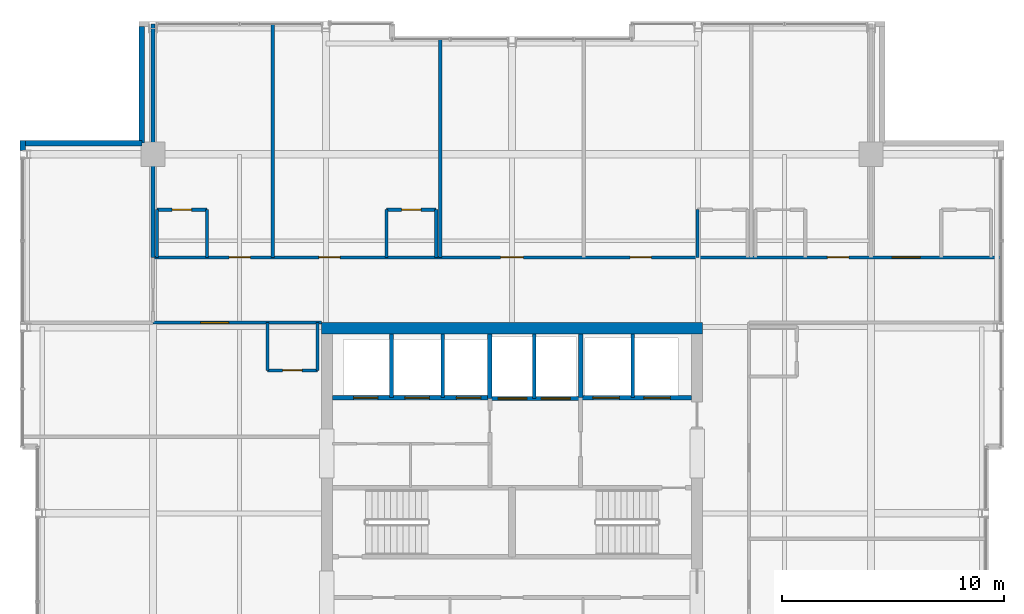
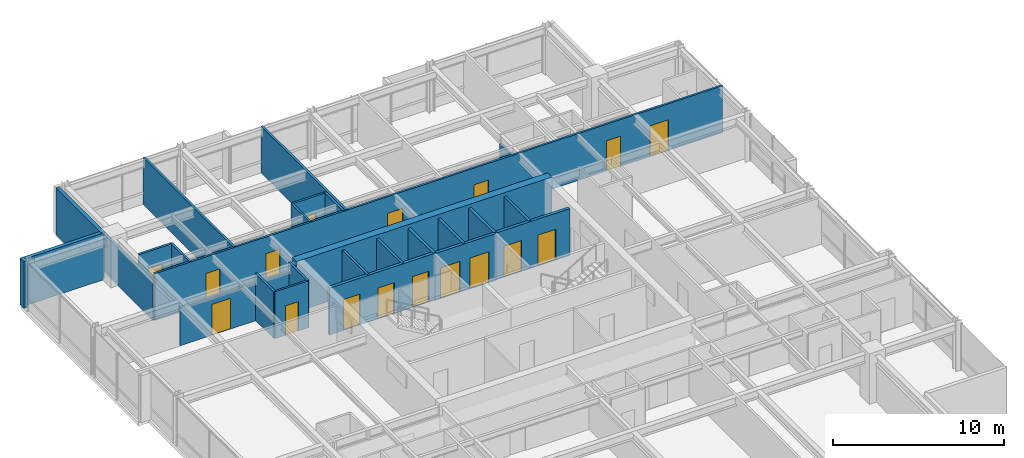
# One storey, part 28 of 31: 28 walls, 17 doors, 17 openings.
"""IFC4 building model written with IfcOpenShell, lengths in metres."""

from ifc_helpers import new_model, si_unit, direction, frame, frame_2d, origin, place, context, subcontext, project, spatial, rectangle, extrude, material, layer, layer_set, type_object, element, fill, save


model = new_model("IFC4")

# Units and contexts
model_context = context("Model", 3, precision=1e-05, world=origin(), true_north=direction((0.0, 1.0)))
body_context = subcontext(model_context, "Body", "Model", "MODEL_VIEW")
ifc_project = project(units=[si_unit("LENGTHUNIT", "METRE"), si_unit("AREAUNIT", "SQUARE_METRE"), si_unit("VOLUMEUNIT", "CUBIC_METRE"), si_unit("PLANEANGLEUNIT", "RADIAN"), si_unit("MASSUNIT", "GRAM", prefix="KILO")], contexts=[model_context])

# Site, building, storey
site_placement = place(None, origin())
site = spatial("IfcSite", under=ifc_project, at=site_placement, CompositionType="ELEMENT")
building_placement = place(site_placement, origin())
building = spatial("IfcBuilding", under=site, at=building_placement, Name="Drelvath Grand Hotel", CompositionType="ELEMENT")
storey_placement = place(building_placement, frame((0.0, 0.0, 244.699951171875)))
storey = spatial("IfcBuildingStorey", under=building, at=storey_placement, Name="L64", CompositionType="ELEMENT", Elevation=244.699951171875)

# Wall, openings, doors
ifc_material_1 = material(Name="Concrete C40/50", Category="concrete")
ifc_layer_1 = layer(ifc_material_1, 0.199951171875)
ifc_layer_set_1 = layer_set([ifc_layer_1], Name="Concrete C40/50")
wall_type_1 = type_object("IfcWallType", Name="Core Hoistway Fire Wall 200", PredefinedType="SOLIDWALL", material=ifc_layer_set_1)
wall_1_placement = place(storey_placement, frame((3.10009765625, 32.219970703125, 0.0), z_axis=(0.0, 0.0, 1.0), x_axis=(1.0, 0.0, 0.0)))
wall_1 = element("IfcWall", 1, at=wall_1_placement, inside=storey, type_object=wall_type_1, Name="L64 FSAE Hoistway Front Wall", PredefinedType="SOLIDWALL", context=body_context, shape_type="SweptSolid", body=[
    extrude(rectangle(XDim=5.0, YDim=0.199951171875, at=frame_2d((2.5, 0.0))), origin(), (0.0, 0.0, 1.0), 3.340087890625),
])
opening_1_placement = place(wall_1_placement, frame((0.550048828125, 0.0, 0.0)))
opening_1 = element("IfcOpeningElement", 2, at=opening_1_placement, cuts=wall_1, Name="Opening LD-FSAE-1", PredefinedType="OPENING", context=body_context, shape_type="SweptSolid", body=[
    extrude(rectangle(XDim=1.199951171875, YDim=2.199951171875, at=frame_2d((0.60009765625, 1.10009765625))), frame((0.0, 0.10986328125, 0.0), z_axis=(0.0, -1.0, 0.0), x_axis=(1.0, 0.0, 0.0)), (0.0, 0.0, 1.0), 0.219970703125),
])
opening_2_placement = place(wall_1_placement, frame((2.85009765625, 0.0, 0.0)))
opening_2 = element("IfcOpeningElement", 3, at=opening_2_placement, cuts=wall_1, Name="Opening LD-FSAE-2", PredefinedType="OPENING", context=body_context, shape_type="SweptSolid", body=[
    extrude(rectangle(XDim=1.199951171875, YDim=2.199951171875, at=frame_2d((0.60009765625, 1.10009765625))), frame((0.0, 0.10986328125, 0.0), z_axis=(0.0, -1.0, 0.0), x_axis=(1.0, 0.0, 0.0)), (0.0, 0.0, 1.0), 0.219970703125),
])
ifc_material_2 = material(Name="Stainless Steel S355", Category="steel")
door_type_1 = type_object("IfcDoorType", Name="FSAE Lift Sliding Landing Door 1200x2200", OperationType="NOTDEFINED", PredefinedType="DOOR", material=ifc_material_2)
door_1_placement = place(opening_1_placement, origin())
door_1 = element("IfcDoor", 4, at=door_1_placement, inside=storey, type_object=door_type_1, Name="L64 Lift FSAE-1 Landing Door", OperationType="SLIDING_TO_LEFT", OverallHeight=2.199951171875, OverallWidth=1.199951171875, PredefinedType="DOOR", context=body_context, shape_type="SweptSolid", body=[
    extrude(rectangle(XDim=1.199951171875, YDim=2.199951171875, at=frame_2d((0.60009765625, 1.10009765625))), frame((0.0, 0.02490234375, 0.0), z_axis=(0.0, -1.0, 0.0), x_axis=(1.0, 0.0, 0.0)), (0.0, 0.0, 1.0), 0.050048828125),
])
fill(opening_1, door_1)
door_2_placement = place(opening_2_placement, origin())
door_2 = element("IfcDoor", 5, at=door_2_placement, inside=storey, type_object=door_type_1, Name="L64 Lift FSAE-2 Landing Door", OperationType="SLIDING_TO_LEFT", OverallHeight=2.199951171875, OverallWidth=1.199951171875, PredefinedType="DOOR", context=body_context, shape_type="SweptSolid", body=[
    extrude(rectangle(XDim=1.199951171875, YDim=2.199951171875, at=frame_2d((0.60009765625, 1.10009765625))), frame((0.0, 0.02490234375, 0.0), z_axis=(0.0, -1.0, 0.0), x_axis=(1.0, 0.0, 0.0)), (0.0, 0.0, 1.0), 0.050048828125),
])
fill(opening_2, door_2)

# Wall
wall_2_placement = place(storey_placement, frame((3.10009765625, 32.219970703125, 0.0), z_axis=(0.0, 0.0, 1.0), x_axis=(0.0, 1.0, 0.0)))
element("IfcWall", 6, at=wall_2_placement, inside=storey, type_object=wall_type_1, Name="L64 FSAE Hoistway West Wall", PredefinedType="SOLIDWALL", context=body_context, shape_type="SweptSolid", body=[
    extrude(rectangle(XDim=2.880126953125, YDim=0.199951171875, at=frame_2d((1.43994140625, 0.0))), origin(), (0.0, 0.0, 1.0), 3.340087890625),
])

# Wall, openings, doors
wall_3_placement = place(storey_placement, frame((-1.0, 32.179931640625, 0.0), z_axis=(0.0, 0.0, 1.0), x_axis=(1.0, 0.0, 0.0)))
wall_3 = element("IfcWall", 7, at=wall_3_placement, inside=storey, type_object=wall_type_1, Name="L64 Service Lift Hoistway Wall", PredefinedType="SOLIDWALL", context=body_context, shape_type="SweptSolid", body=[
    extrude(rectangle(XDim=4.10009765625, YDim=0.199951171875, at=frame_2d((2.050048828125, 0.0))), origin(), (0.0, 0.0, 1.0), 3.340087890625),
])
opening_3_placement = place(wall_3_placement, frame((0.3701171875, 0.0, 0.0)))
opening_3 = element("IfcOpeningElement", 8, at=opening_3_placement, cuts=wall_3, Name="Opening LD-SV-2", PredefinedType="OPENING", context=body_context, shape_type="SweptSolid", body=[
    extrude(rectangle(XDim=1.300048828125, YDim=2.199951171875, at=frame_2d((0.64990234375, 1.10009765625))), frame((0.0, 0.10986328125, 0.0), z_axis=(0.0, -1.0, 0.0), x_axis=(1.0, 0.0, 0.0)), (0.0, 0.0, 1.0), 0.219970703125),
])
opening_4_placement = place(wall_3_placement, frame((2.330078125, 0.0, 0.0)))
opening_4 = element("IfcOpeningElement", 9, at=opening_4_placement, cuts=wall_3, Name="Opening LD-SV-1", PredefinedType="OPENING", context=body_context, shape_type="SweptSolid", body=[
    extrude(rectangle(XDim=1.300048828125, YDim=2.199951171875, at=frame_2d((0.64990234375, 1.10009765625))), frame((0.0, 0.10986328125, 0.0), z_axis=(0.0, -1.0, 0.0), x_axis=(1.0, 0.0, 0.0)), (0.0, 0.0, 1.0), 0.219970703125),
])
door_type_2 = type_object("IfcDoorType", Name="Service Lift Sliding Landing Door 1300x2200", OperationType="NOTDEFINED", PredefinedType="DOOR", material=ifc_material_2)
door_3_placement = place(opening_3_placement, origin())
door_3 = element("IfcDoor", 10, at=door_3_placement, inside=storey, type_object=door_type_2, Name="L64 Lift SV-2 Landing Door", OperationType="SLIDING_TO_LEFT", OverallHeight=2.199951171875, OverallWidth=1.300048828125, PredefinedType="DOOR", context=body_context, shape_type="SweptSolid", body=[
    extrude(rectangle(XDim=1.300048828125, YDim=2.199951171875, at=frame_2d((0.64990234375, 1.10009765625))), frame((0.0, 0.02490234375, 0.0), z_axis=(0.0, -1.0, 0.0), x_axis=(1.0, 0.0, 0.0)), (0.0, 0.0, 1.0), 0.050048828125),
])
fill(opening_3, door_3)
door_4_placement = place(opening_4_placement, origin())
door_4 = element("IfcDoor", 11, at=door_4_placement, inside=storey, type_object=door_type_2, Name="L64 Lift SV-1 Landing Door", OperationType="SLIDING_TO_LEFT", OverallHeight=2.199951171875, OverallWidth=1.300048828125, PredefinedType="DOOR", context=body_context, shape_type="SweptSolid", body=[
    extrude(rectangle(XDim=1.300048828125, YDim=2.199951171875, at=frame_2d((0.64990234375, 1.10009765625))), frame((0.0, 0.02490234375, 0.0), z_axis=(0.0, -1.0, 0.0), x_axis=(1.0, 0.0, 0.0)), (0.0, 0.0, 1.0), 0.050048828125),
])
fill(opening_4, door_4)

# Wall
wall_4_placement = place(storey_placement, frame((-1.0, 32.179931640625, 0.0), z_axis=(0.0, 0.0, 1.0), x_axis=(0.0, 1.0, 0.0)))
element("IfcWall", 12, at=wall_4_placement, inside=storey, type_object=wall_type_1, Name="L64 Service Lift West Wall", PredefinedType="SOLIDWALL", context=body_context, shape_type="SweptSolid", body=[
    extrude(rectangle(XDim=2.920166015625, YDim=0.199951171875, at=frame_2d((1.4599609375, 0.0))), origin(), (0.0, 0.0, 1.0), 3.340087890625),
])

# Wall, openings, doors
wall_5_placement = place(storey_placement, frame((-8.10009765625, 32.219970703125, 0.0), z_axis=(0.0, 0.0, 1.0), x_axis=(1.0, 0.0, 0.0)))
wall_5 = element("IfcWall", 13, at=wall_5_placement, inside=storey, type_object=wall_type_1, Name="L64 Bank 3 Hoistway Wall", PredefinedType="SOLIDWALL", context=body_context, shape_type="SweptSolid", body=[
    extrude(rectangle(XDim=7.10009765625, YDim=0.199951171875, at=frame_2d((3.550048828125, 0.0))), origin(), (0.0, 0.0, 1.0), 3.340087890625),
])
opening_5_placement = place(wall_5_placement, frame((0.949951171875, 0.0, 0.0)))
opening_5 = element("IfcOpeningElement", 14, at=opening_5_placement, cuts=wall_5, Name="Opening LD-PE-7", PredefinedType="OPENING", context=body_context, shape_type="SweptSolid", body=[
    extrude(rectangle(XDim=1.10009765625, YDim=2.199951171875, at=frame_2d((0.550048828125, 1.10009765625))), frame((0.0, 0.10986328125, 0.0), z_axis=(0.0, -1.0, 0.0), x_axis=(1.0, 0.0, 0.0)), (0.0, 0.0, 1.0), 0.219970703125),
])
opening_6_placement = place(wall_5_placement, frame((3.27001953125, 0.0, 0.0)))
opening_6 = element("IfcOpeningElement", 15, at=opening_6_placement, cuts=wall_5, Name="Opening LD-PE-8", PredefinedType="OPENING", context=body_context, shape_type="SweptSolid", body=[
    extrude(rectangle(XDim=1.10009765625, YDim=2.199951171875, at=frame_2d((0.550048828125, 1.10009765625))), frame((0.0, 0.10986328125, 0.0), z_axis=(0.0, -1.0, 0.0), x_axis=(1.0, 0.0, 0.0)), (0.0, 0.0, 1.0), 0.219970703125),
])
opening_7_placement = place(wall_5_placement, frame((5.590087890625, 0.0, 0.0)))
opening_7 = element("IfcOpeningElement", 16, at=opening_7_placement, cuts=wall_5, Name="Opening LD-PE-9", PredefinedType="OPENING", context=body_context, shape_type="SweptSolid", body=[
    extrude(rectangle(XDim=1.10009765625, YDim=2.199951171875, at=frame_2d((0.550048828125, 1.10009765625))), frame((0.0, 0.10986328125, 0.0), z_axis=(0.0, -1.0, 0.0), x_axis=(1.0, 0.0, 0.0)), (0.0, 0.0, 1.0), 0.219970703125),
])
door_type_3 = type_object("IfcDoorType", Name="Passenger Lift Sliding Landing Door 1100x2200", OperationType="NOTDEFINED", PredefinedType="DOOR", material=ifc_material_2)
door_5_placement = place(opening_5_placement, origin())
door_5 = element("IfcDoor", 17, at=door_5_placement, inside=storey, type_object=door_type_3, Name="L64 Lift PE-7 Landing Door", OperationType="SLIDING_TO_LEFT", OverallHeight=2.199951171875, OverallWidth=1.10009765625, PredefinedType="DOOR", context=body_context, shape_type="SweptSolid", body=[
    extrude(rectangle(XDim=1.10009765625, YDim=2.199951171875, at=frame_2d((0.550048828125, 1.10009765625))), frame((0.0, 0.02490234375, 0.0), z_axis=(0.0, -1.0, 0.0), x_axis=(1.0, 0.0, 0.0)), (0.0, 0.0, 1.0), 0.050048828125),
])
fill(opening_5, door_5)
door_6_placement = place(opening_6_placement, origin())
door_6 = element("IfcDoor", 18, at=door_6_placement, inside=storey, type_object=door_type_3, Name="L64 Lift PE-8 Landing Door", OperationType="SLIDING_TO_LEFT", OverallHeight=2.199951171875, OverallWidth=1.10009765625, PredefinedType="DOOR", context=body_context, shape_type="SweptSolid", body=[
    extrude(rectangle(XDim=1.10009765625, YDim=2.199951171875, at=frame_2d((0.550048828125, 1.10009765625))), frame((0.0, 0.02490234375, 0.0), z_axis=(0.0, -1.0, 0.0), x_axis=(1.0, 0.0, 0.0)), (0.0, 0.0, 1.0), 0.050048828125),
])
fill(opening_6, door_6)
door_7_placement = place(opening_7_placement, origin())
door_7 = element("IfcDoor", 19, at=door_7_placement, inside=storey, type_object=door_type_3, Name="L64 Lift PE-9 Landing Door", OperationType="SLIDING_TO_LEFT", OverallHeight=2.199951171875, OverallWidth=1.10009765625, PredefinedType="DOOR", context=body_context, shape_type="SweptSolid", body=[
    extrude(rectangle(XDim=1.10009765625, YDim=2.199951171875, at=frame_2d((0.550048828125, 1.10009765625))), frame((0.0, 0.02490234375, 0.0), z_axis=(0.0, -1.0, 0.0), x_axis=(1.0, 0.0, 0.0)), (0.0, 0.0, 1.0), 0.050048828125),
])
fill(opening_7, door_7)

# Walls
ifc_material_3 = material(Name="Gypsum Fireboard Partition")
ifc_layer_2 = layer(ifc_material_3, 0.1650390625)
ifc_layer_set_2 = layer_set([ifc_layer_2], Name="Gypsum Fireboard Partition")
wall_type_2 = type_object("IfcWallType", Name="Core Shaft Partition 165", PredefinedType="PARTITIONING", material=ifc_layer_set_2)
wall_6_placement = place(storey_placement, frame((5.449951171875, 32.219970703125, 0.0), z_axis=(0.0, 0.0, 1.0), x_axis=(0.0, 1.0, 0.0)))
element("IfcWall", 20, at=wall_6_placement, inside=storey, type_object=wall_type_2, Name="L64 FSAE Hoistway Divider", PredefinedType="PARTITIONING", context=body_context, shape_type="SweptSolid", body=[
    extrude(rectangle(XDim=2.880126953125, YDim=0.1650390625, at=frame_2d((1.43994140625, 0.0))), origin(), (0.0, 0.0, 1.0), 3.340087890625),
])
wall_7_placement = place(storey_placement, frame((1.0, 32.179931640625, 0.0), z_axis=(0.0, 0.0, 1.0), x_axis=(0.0, 1.0, 0.0)))
element("IfcWall", 21, at=wall_7_placement, inside=storey, type_object=wall_type_2, Name="L64 Service Lift Divider", PredefinedType="PARTITIONING", context=body_context, shape_type="SweptSolid", body=[
    extrude(rectangle(XDim=2.920166015625, YDim=0.1650390625, at=frame_2d((1.4599609375, 0.0))), origin(), (0.0, 0.0, 1.0), 3.340087890625),
])
for number, where, z_axis, x_axis, name in (
    (22, (-5.43994140625, 32.219970703125, 0.0), (0.0, 0.0, 1.0), (0.0, 1.0, 0.0), "L64 Lift PE-7/8 Divider"),
    (23, (-3.1201171875, 32.219970703125, 0.0), (0.0, 0.0, 1.0), (0.0, 1.0, 0.0), "L64 Lift PE-8/9 Divider"),
):
    element("IfcWall", number, at=place(storey_placement, frame(where, z_axis=z_axis, x_axis=x_axis)), inside=storey, type_object=wall_type_2, Name=name, PredefinedType="PARTITIONING", context=body_context, shape_type="SweptSolid", body=[
        extrude(rectangle(XDim=2.880126953125, YDim=0.1650390625, at=frame_2d((1.43994140625, 0.0))), origin(), (0.0, 0.0, 1.0), 3.340087890625),
    ])

# Wall, openings, doors
ifc_layer_3 = layer(ifc_material_3, 0.135009765625)
ifc_layer_set_3 = layer_set([ifc_layer_3], Name="Gypsum Fireboard Partition")
wall_type_3 = type_object("IfcWallType", Name="Corridor Fire Barrier Wall 135", PredefinedType="PARTITIONING", material=ifc_layer_set_3)
wall_8_placement = place(storey_placement, frame((-16.199951171875, 38.550048828125, 0.0), z_axis=(0.0, 0.0, 1.0), x_axis=(1.0, 0.0, 0.0)))
wall_8 = element("IfcWall", 24, at=wall_8_placement, inside=storey, type_object=wall_type_3, Name="L64 North Cross-Gallery Wall", PredefinedType="PARTITIONING", context=body_context, shape_type="SweptSolid", body=[
    extrude(rectangle(XDim=38.280029296875, YDim=0.135009765625, at=frame_2d((19.14013671875, 0.0))), origin(), (0.0, 0.0, 1.0), 3.340087890625),
])
opening_8_placement = place(wall_8_placement, frame((33.35498046875, 0.0, 0.0)))
opening_8 = element("IfcOpeningElement", 25, at=opening_8_placement, cuts=wall_8, Name="Opening D-T4G4-024", PredefinedType="OPENING", context=body_context, shape_type="SweptSolid", body=[
    extrude(rectangle(XDim=1.260009765625, YDim=2.199951171875, at=frame_2d((0.6298828125, 1.10009765625))), frame((0.0, 0.077392578125, 0.0), z_axis=(0.0, -1.0, 0.0), x_axis=(1.0, 0.0, 0.0)), (0.0, 0.0, 1.0), 0.155029296875),
])
opening_9_placement = place(wall_8_placement, frame((3.43505859375, 0.0, 0.0)))
opening_9 = element("IfcOpeningElement", 26, at=opening_9_placement, cuts=wall_8, Name="Opening D-T4G4-033", PredefinedType="OPENING", context=body_context, shape_type="SweptSolid", body=[
    extrude(rectangle(XDim=0.9599609375, YDim=2.14990234375, at=frame_2d((0.47998046875, 1.074951171875))), frame((0.0, 0.077392578125, 0.0), z_axis=(0.0, -1.0, 0.0), x_axis=(1.0, 0.0, 0.0)), (0.0, 0.0, 1.0), 0.155029296875),
])
opening_10_placement = place(wall_8_placement, frame((7.485107421875, 0.0, 0.0)))
opening_10 = element("IfcOpeningElement", 27, at=opening_10_placement, cuts=wall_8, Name="Opening D-T4G4-035", PredefinedType="OPENING", context=body_context, shape_type="SweptSolid", body=[
    extrude(rectangle(XDim=0.9599609375, YDim=2.14990234375, at=frame_2d((0.47998046875, 1.074951171875))), frame((0.0, 0.077392578125, 0.0), z_axis=(0.0, -1.0, 0.0), x_axis=(1.0, 0.0, 0.0)), (0.0, 0.0, 1.0), 0.155029296875),
])
opening_11_placement = place(wall_8_placement, frame((15.68994140625, 0.0, 0.0)))
opening_11 = element("IfcOpeningElement", 28, at=opening_11_placement, cuts=wall_8, Name="Opening D-T4G4-036", PredefinedType="OPENING", context=body_context, shape_type="SweptSolid", body=[
    extrude(rectangle(XDim=1.02001953125, YDim=2.14990234375, at=frame_2d((0.510009765625, 1.074951171875))), frame((0.0, 0.077392578125, 0.0), z_axis=(0.0, -1.0, 0.0), x_axis=(1.0, 0.0, 0.0)), (0.0, 0.0, 1.0), 0.155029296875),
])
opening_12_placement = place(wall_8_placement, frame((21.52490234375, 0.0, 0.0)))
opening_12 = element("IfcOpeningElement", 29, at=opening_12_placement, cuts=wall_8, Name="Opening D-T4G4-038", PredefinedType="OPENING", context=body_context, shape_type="SweptSolid", body=[
    extrude(rectangle(XDim=0.9599609375, YDim=2.14990234375, at=frame_2d((0.47998046875, 1.074951171875))), frame((0.0, 0.077392578125, 0.0), z_axis=(0.0, -1.0, 0.0), x_axis=(1.0, 0.0, 0.0)), (0.0, 0.0, 1.0), 0.155029296875),
])
opening_13_placement = place(wall_8_placement, frame((30.43505859375, 0.0, 0.0)))
opening_13 = element("IfcOpeningElement", 30, at=opening_13_placement, cuts=wall_8, Name="Opening D-T4G4-040", PredefinedType="OPENING", context=body_context, shape_type="SweptSolid", body=[
    extrude(rectangle(XDim=0.9599609375, YDim=2.14990234375, at=frame_2d((0.47998046875, 1.074951171875))), frame((0.0, 0.077392578125, 0.0), z_axis=(0.0, -1.0, 0.0), x_axis=(1.0, 0.0, 0.0)), (0.0, 0.0, 1.0), 0.155029296875),
])
ifc_material_4 = material(Name="Hardwood Walnut Timber", Category="wood")
door_type_4 = type_object("IfcDoorType", Name="Amenity Meeting Fire Door 1020x2150", OperationType="NOTDEFINED", PredefinedType="DOOR", material=ifc_material_4)
door_8_placement = place(opening_11_placement, origin())
door_8 = element("IfcDoor", 31, at=door_8_placement, inside=storey, type_object=door_type_4, Name="L64 Wellness Therapy Room Entry Door", OperationType="SINGLE_SWING_LEFT", OverallHeight=2.14990234375, OverallWidth=1.02001953125, PredefinedType="DOOR", context=body_context, shape_type="SweptSolid", body=[
    extrude(rectangle(XDim=1.02001953125, YDim=2.14990234375, at=frame_2d((0.510009765625, 1.074951171875))), frame((0.0, 0.02490234375, 0.0), z_axis=(0.0, -1.0, 0.0), x_axis=(1.0, 0.0, 0.0)), (0.0, 0.0, 1.0), 0.050048828125),
])
fill(opening_11, door_8)
door_type_5 = type_object("IfcDoorType", Name="Guestroom Entrance Fire Door 960x2150", OperationType="NOTDEFINED", PredefinedType="DOOR", material=ifc_material_4)
door_9_placement = place(opening_9_placement, origin())
door_9 = element("IfcDoor", 32, at=door_9_placement, inside=storey, type_object=door_type_5, Name="L64 King Guest Room Entry Door", OperationType="SINGLE_SWING_RIGHT", OverallHeight=2.14990234375, OverallWidth=0.9599609375, PredefinedType="DOOR", context=body_context, shape_type="SweptSolid", body=[
    extrude(rectangle(XDim=0.9599609375, YDim=2.14990234375, at=frame_2d((0.47998046875, 1.074951171875))), frame((0.0, 0.02490234375, 0.0), z_axis=(0.0, -1.0, 0.0), x_axis=(1.0, 0.0, 0.0)), (0.0, 0.0, 1.0), 0.050048828125),
])
fill(opening_9, door_9)
door_10_placement = place(opening_10_placement, origin())
door_10 = element("IfcDoor", 33, at=door_10_placement, inside=storey, type_object=door_type_5, Name="L64 King Guest Room Entry Door", OperationType="SINGLE_SWING_RIGHT", OverallHeight=2.14990234375, OverallWidth=0.9599609375, PredefinedType="DOOR", context=body_context, shape_type="SweptSolid", body=[
    extrude(rectangle(XDim=0.9599609375, YDim=2.14990234375, at=frame_2d((0.47998046875, 1.074951171875))), frame((0.0, 0.02490234375, 0.0), z_axis=(0.0, -1.0, 0.0), x_axis=(1.0, 0.0, 0.0)), (0.0, 0.0, 1.0), 0.050048828125),
])
fill(opening_10, door_10)
door_11_placement = place(opening_12_placement, origin())
door_11 = element("IfcDoor", 34, at=door_11_placement, inside=storey, type_object=door_type_5, Name="L64 King Guest Room Entry Door", OperationType="SINGLE_SWING_LEFT", OverallHeight=2.14990234375, OverallWidth=0.9599609375, PredefinedType="DOOR", context=body_context, shape_type="SweptSolid", body=[
    extrude(rectangle(XDim=0.9599609375, YDim=2.14990234375, at=frame_2d((0.47998046875, 1.074951171875))), frame((0.0, 0.02490234375, 0.0), z_axis=(0.0, -1.0, 0.0), x_axis=(1.0, 0.0, 0.0)), (0.0, 0.0, 1.0), 0.050048828125),
])
fill(opening_12, door_11)
door_12_placement = place(opening_13_placement, origin())
door_12 = element("IfcDoor", 35, at=door_12_placement, inside=storey, type_object=door_type_5, Name="L64 King Guest Room Entry Door", OperationType="SINGLE_SWING_LEFT", OverallHeight=2.14990234375, OverallWidth=0.9599609375, PredefinedType="DOOR", context=body_context, shape_type="SweptSolid", body=[
    extrude(rectangle(XDim=0.9599609375, YDim=2.14990234375, at=frame_2d((0.47998046875, 1.074951171875))), frame((0.0, 0.02490234375, 0.0), z_axis=(0.0, -1.0, 0.0), x_axis=(1.0, 0.0, 0.0)), (0.0, 0.0, 1.0), 0.050048828125),
])
fill(opening_13, door_12)
door_type_6 = type_object("IfcDoorType", Name="Suite Entrance Fire Door 1260x2200", OperationType="NOTDEFINED", PredefinedType="DOOR", material=ifc_material_4)
door_13_placement = place(opening_8_placement, origin())
door_13 = element("IfcDoor", 36, at=door_13_placement, inside=storey, type_object=door_type_6, Name="L64 Diplomatic Suite Entry Door", OperationType="SINGLE_SWING_LEFT", OverallHeight=2.199951171875, OverallWidth=1.260009765625, PredefinedType="DOOR", context=body_context, shape_type="SweptSolid", body=[
    extrude(rectangle(XDim=1.260009765625, YDim=2.199951171875, at=frame_2d((0.6298828125, 1.10009765625))), frame((0.0, 0.02490234375, 0.0), z_axis=(0.0, -1.0, 0.0), x_axis=(1.0, 0.0, 0.0)), (0.0, 0.0, 1.0), 0.050048828125),
])
fill(opening_8, door_13)

# Wall, opening, door
wall_9_placement = place(storey_placement, frame((-16.199951171875, 35.60009765625, 0.0), z_axis=(0.0, 0.0, 1.0), x_axis=(1.0, 0.0, 0.0)))
wall_9 = element("IfcWall", 37, at=wall_9_placement, inside=storey, type_object=wall_type_3, Name="L64 North Gallery Inner West Wall", PredefinedType="PARTITIONING", context=body_context, shape_type="SweptSolid", body=[
    extrude(rectangle(XDim=7.599853515625, YDim=0.135009765625, at=frame_2d((3.7998046875, 0.0))), origin(), (0.0, 0.0, 1.0), 2.717529296875),
])
opening_14_placement = place(wall_9_placement, frame((2.155029296875, 0.0, 0.0)))
opening_14 = element("IfcOpeningElement", 38, at=opening_14_placement, cuts=wall_9, Name="Opening D-T4G4-048", PredefinedType="OPENING", context=body_context, shape_type="SweptSolid", body=[
    extrude(rectangle(XDim=1.260009765625, YDim=2.199951171875, at=frame_2d((0.6298828125, 1.10009765625))), frame((0.0, 0.077392578125, 0.0), z_axis=(0.0, -1.0, 0.0), x_axis=(1.0, 0.0, 0.0)), (0.0, 0.0, 1.0), 0.155029296875),
])
door_14_placement = place(opening_14_placement, origin())
door_14 = element("IfcDoor", 39, at=door_14_placement, inside=storey, type_object=door_type_6, Name="L64 Diplomatic Suite Entry Door", OperationType="SINGLE_SWING_LEFT", OverallHeight=2.199951171875, OverallWidth=1.260009765625, PredefinedType="DOOR", context=body_context, shape_type="SweptSolid", body=[
    extrude(rectangle(XDim=1.260009765625, YDim=2.199951171875, at=frame_2d((0.6298828125, 1.10009765625))), frame((0.0, 0.02490234375, 0.0), z_axis=(0.0, -1.0, 0.0), x_axis=(1.0, 0.0, 0.0)), (0.0, 0.0, 1.0), 0.050048828125),
])
fill(opening_14, door_14)

# Walls
ifc_material_5 = material(Name="Moisture-Resistant Gypsum Board")
ifc_layer_4 = layer(ifc_material_5, 0.139892578125)
ifc_layer_set_4 = layer_set([ifc_layer_4], Name="Moisture-Resistant Gypsum Board")
wall_type_4 = type_object("IfcWallType", Name="En-Suite Plumbing Wall 140", PredefinedType="PLUMBINGWALL", material=ifc_layer_set_4)
wall_10_placement = place(storey_placement, frame((-16.02001953125, 38.550048828125, 0.0), z_axis=(0.0, 0.0, 1.0), x_axis=(0.0, 1.0, 0.0)))
element("IfcWall", 40, at=wall_10_placement, inside=storey, type_object=wall_type_4, Name="L64 En-Suite Left Wall", PredefinedType="PLUMBINGWALL", context=body_context, shape_type="SweptSolid", body=[
    extrude(rectangle(XDim=2.14990234375, YDim=0.139892578125, at=frame_2d((1.074951171875, 0.0))), origin(), (0.0, 0.0, 1.0), 2.7138671875),
])
wall_11_placement = place(storey_placement, frame((-13.77001953125, 38.550048828125, 0.0), z_axis=(0.0, 0.0, 1.0), x_axis=(0.0, 1.0, 0.0)))
element("IfcWall", 41, at=wall_11_placement, inside=storey, type_object=wall_type_4, Name="L64 En-Suite Right Wall", PredefinedType="PLUMBINGWALL", context=body_context, shape_type="SweptSolid", body=[
    extrude(rectangle(XDim=2.14990234375, YDim=0.139892578125, at=frame_2d((1.074951171875, 0.0))), origin(), (0.0, 0.0, 1.0), 3.340087890625),
])

# Wall, opening, door
wall_12_placement = place(storey_placement, frame((-16.02001953125, 40.699951171875, 0.0), z_axis=(0.0, 0.0, 1.0), x_axis=(1.0, 0.0, 0.0)))
wall_12 = element("IfcWall", 42, at=wall_12_placement, inside=storey, type_object=wall_type_4, Name="L64 En-Suite Front Wall", PredefinedType="PLUMBINGWALL", context=body_context, shape_type="SweptSolid", body=[
    extrude(rectangle(XDim=2.25, YDim=0.139892578125, at=frame_2d((1.125, 0.0))), origin(), (0.0, 0.0, 1.0), 3.340087890625),
])
opening_15_placement = place(wall_12_placement, frame((0.68505859375, 0.0, 0.0)))
opening_15 = element("IfcOpeningElement", 43, at=opening_15_placement, cuts=wall_12, Name="Opening D-T4G4-032", PredefinedType="OPENING", context=body_context, shape_type="SweptSolid", body=[
    extrude(rectangle(XDim=0.8798828125, YDim=2.10009765625, at=frame_2d((0.43994140625, 1.050048828125))), frame((0.0, 0.079833984375, 0.0), z_axis=(0.0, -1.0, 0.0), x_axis=(1.0, 0.0, 0.0)), (0.0, 0.0, 1.0), 0.159912109375),
])
door_type_7 = type_object("IfcDoorType", Name="En-Suite Bathroom Door 880x2100", OperationType="NOTDEFINED", PredefinedType="DOOR", material=ifc_material_4)
door_15_placement = place(opening_15_placement, origin())
door_15 = element("IfcDoor", 44, at=door_15_placement, inside=storey, type_object=door_type_7, Name="L64 En-Suite Bathroom Door", OperationType="SINGLE_SWING_LEFT", OverallHeight=2.10009765625, OverallWidth=0.8798828125, PredefinedType="DOOR", context=body_context, shape_type="SweptSolid", body=[
    extrude(rectangle(XDim=0.8798828125, YDim=2.10009765625, at=frame_2d((0.43994140625, 1.050048828125))), frame((0.0, 0.02490234375, 0.0), z_axis=(0.0, -1.0, 0.0), x_axis=(1.0, 0.0, 0.0)), (0.0, 0.0, 1.0), 0.050048828125),
])
fill(opening_15, door_15)

# Walls
for number, where, z_axis, x_axis, name in (
    (45, (-5.669921875, 38.550048828125, 0.0), (0.0, 0.0, 1.0), (0.0, 1.0, 0.0), "L64 En-Suite Left Wall"),
    (46, (-3.419921875, 38.550048828125, 0.0), (0.0, 0.0, 1.0), (0.0, 1.0, 0.0), "L64 En-Suite Right Wall"),
):
    element("IfcWall", number, at=place(storey_placement, frame(where, z_axis=z_axis, x_axis=x_axis)), inside=storey, type_object=wall_type_4, Name=name, PredefinedType="PLUMBINGWALL", context=body_context, shape_type="SweptSolid", body=[
        extrude(rectangle(XDim=2.14990234375, YDim=0.139892578125, at=frame_2d((1.074951171875, 0.0))), origin(), (0.0, 0.0, 1.0), 3.340087890625),
    ])

# Wall, opening, door
wall_13_placement = place(storey_placement, frame((-5.669921875, 40.699951171875, 0.0), z_axis=(0.0, 0.0, 1.0), x_axis=(1.0, 0.0, 0.0)))
wall_13 = element("IfcWall", 47, at=wall_13_placement, inside=storey, type_object=wall_type_4, Name="L64 En-Suite Front Wall", PredefinedType="PLUMBINGWALL", context=body_context, shape_type="SweptSolid", body=[
    extrude(rectangle(XDim=2.25, YDim=0.139892578125, at=frame_2d((1.125, 0.0))), origin(), (0.0, 0.0, 1.0), 3.340087890625),
])
opening_16_placement = place(wall_13_placement, frame((0.68505859375, 0.0, 0.0)))
opening_16 = element("IfcOpeningElement", 48, at=opening_16_placement, cuts=wall_13, Name="Opening D-T4G4-034", PredefinedType="OPENING", context=body_context, shape_type="SweptSolid", body=[
    extrude(rectangle(XDim=0.8798828125, YDim=2.10009765625, at=frame_2d((0.43994140625, 1.050048828125))), frame((0.0, 0.079833984375, 0.0), z_axis=(0.0, -1.0, 0.0), x_axis=(1.0, 0.0, 0.0)), (0.0, 0.0, 1.0), 0.159912109375),
])
door_16_placement = place(opening_16_placement, origin())
door_16 = element("IfcDoor", 49, at=door_16_placement, inside=storey, type_object=door_type_7, Name="L64 En-Suite Bathroom Door", OperationType="SINGLE_SWING_LEFT", OverallHeight=2.10009765625, OverallWidth=0.8798828125, PredefinedType="DOOR", context=body_context, shape_type="SweptSolid", body=[
    extrude(rectangle(XDim=0.8798828125, YDim=2.10009765625, at=frame_2d((0.43994140625, 1.050048828125))), frame((0.0, 0.02490234375, 0.0), z_axis=(0.0, -1.0, 0.0), x_axis=(1.0, 0.0, 0.0)), (0.0, 0.0, 1.0), 0.050048828125),
])
fill(opening_16, door_16)

# Walls
wall_14_placement = place(storey_placement, frame((8.3701171875, 38.550048828125, 0.0), z_axis=(0.0, 0.0, 1.0), x_axis=(0.0, 1.0, 0.0)))
element("IfcWall", 50, at=wall_14_placement, inside=storey, type_object=wall_type_4, Name="L64 En-Suite Left Wall", PredefinedType="PLUMBINGWALL", context=body_context, shape_type="SweptSolid", body=[
    extrude(rectangle(XDim=2.14990234375, YDim=0.139892578125, at=frame_2d((1.074951171875, 0.0))), origin(), (0.0, 0.0, 1.0), 2.717529296875),
])
for number, where, z_axis, x_axis, name in (
    (51, (-11.030029296875, 35.60009765625, 0.0), (0.0, 0.0, 1.0), (0.0, -1.0, 0.0), "L64 En-Suite Left Wall"),
    (52, (-8.780029296875, 35.60009765625, 0.0), (0.0, 0.0, 1.0), (0.0, -1.0, 0.0), "L64 En-Suite Right Wall"),
):
    element("IfcWall", number, at=place(storey_placement, frame(where, z_axis=z_axis, x_axis=x_axis)), inside=storey, type_object=wall_type_4, Name=name, PredefinedType="PLUMBINGWALL", context=body_context, shape_type="SweptSolid", body=[
        extrude(rectangle(XDim=2.150146484375, YDim=0.139892578125, at=frame_2d((1.0751953125, 0.0))), origin(), (0.0, 0.0, 1.0), 3.340087890625),
    ])

# Wall, opening, door
wall_15_placement = place(storey_placement, frame((-11.030029296875, 33.449951171875, 0.0), z_axis=(0.0, 0.0, 1.0), x_axis=(1.0, 0.0, 0.0)))
wall_15 = element("IfcWall", 53, at=wall_15_placement, inside=storey, type_object=wall_type_4, Name="L64 En-Suite Front Wall", PredefinedType="PLUMBINGWALL", context=body_context, shape_type="SweptSolid", body=[
    extrude(rectangle(XDim=2.25, YDim=0.139892578125, at=frame_2d((1.125, 0.0))), origin(), (0.0, 0.0, 1.0), 3.340087890625),
])
opening_17_placement = place(wall_15_placement, frame((0.68505859375, 0.0, 0.0)))
opening_17 = element("IfcOpeningElement", 54, at=opening_17_placement, cuts=wall_15, Name="Opening D-T4G4-047", PredefinedType="OPENING", context=body_context, shape_type="SweptSolid", body=[
    extrude(rectangle(XDim=0.8798828125, YDim=2.10009765625, at=frame_2d((0.43994140625, 1.050048828125))), frame((0.0, 0.079833984375, 0.0), z_axis=(0.0, -1.0, 0.0), x_axis=(1.0, 0.0, 0.0)), (0.0, 0.0, 1.0), 0.159912109375),
])
door_17_placement = place(opening_17_placement, origin())
door_17 = element("IfcDoor", 55, at=door_17_placement, inside=storey, type_object=door_type_7, Name="L64 En-Suite Bathroom Door", OperationType="SINGLE_SWING_RIGHT", OverallHeight=2.10009765625, OverallWidth=0.8798828125, PredefinedType="DOOR", context=body_context, shape_type="SweptSolid", body=[
    extrude(rectangle(XDim=0.8798828125, YDim=2.10009765625, at=frame_2d((0.43994140625, 1.050048828125))), frame((0.0, 0.02490234375, 0.0), z_axis=(0.0, -1.0, 0.0), x_axis=(1.0, 0.0, 0.0)), (0.0, 0.0, 1.0), 0.050048828125),
])
fill(opening_17, door_17)

# Walls
ifc_material_6 = material(Name="Gypsum Acoustic Partition")
ifc_layer_5 = layer(ifc_material_6, 0.14990234375)
ifc_layer_set_5 = layer_set([ifc_layer_5], Name="Gypsum Acoustic Partition")
wall_type_5 = type_object("IfcWallType", Name="Guestroom Demising Wall 150", PredefinedType="PARTITIONING", material=ifc_layer_set_5)
wall_16_placement = place(storey_placement, frame((-10.800048828125, 38.550048828125, 0.0), z_axis=(0.0, 0.0, 1.0), x_axis=(0.0, 1.0, 0.0)))
element("IfcWall", 56, at=wall_16_placement, inside=storey, type_object=wall_type_5, Name="L64 North Demising 1", PredefinedType="PARTITIONING", context=body_context, shape_type="SweptSolid", body=[
    extrude(rectangle(XDim=10.530029296875, YDim=0.14990234375, at=frame_2d((5.26513671875, 0.0))), origin(), (0.0, 0.0, 1.0), 3.340087890625),
])
wall_17_placement = place(storey_placement, frame((-3.239990234375, 38.550048828125, 0.0), z_axis=(0.0, 0.0, 1.0), x_axis=(0.0, 1.0, 0.0)))
element("IfcWall", 57, at=wall_17_placement, inside=storey, type_object=wall_type_5, Name="L64 North Demising 2", PredefinedType="PARTITIONING", context=body_context, shape_type="SweptSolid", body=[
    extrude(rectangle(XDim=9.849853515625, YDim=0.14990234375, at=frame_2d((4.9248046875, 0.0))), origin(), (0.0, 0.0, 1.0), 3.340087890625),
])
ifc_layer_6 = layer(ifc_material_6, 0.1650390625)
ifc_layer_set_6 = layer_set([ifc_layer_6], Name="Gypsum Acoustic Partition")
wall_type_6 = type_object("IfcWallType", Name="Suite Demising Wall 165", PredefinedType="PARTITIONING", material=ifc_layer_set_6)
wall_18_placement = place(storey_placement, frame((-16.199951171875, 38.550048828125, 0.0), z_axis=(0.0, 0.0, 1.0), x_axis=(0.0, 1.0, 0.0)))
element("IfcWall", 58, at=wall_18_placement, inside=storey, type_object=wall_type_6, Name="L64 NW Suite Wall", PredefinedType="PARTITIONING", context=body_context, shape_type="SweptSolid", body=[
    extrude(rectangle(XDim=10.530029296875, YDim=0.1650390625, at=frame_2d((5.26513671875, 0.0))), origin(), (0.0, 0.0, 1.0), 2.7138671875),
])
ifc_material_7 = material(Name="Pale-Metal Insulated Aluminium Spandrel Assembly", Category="aluminium")
ifc_layer_7 = layer(ifc_material_7, 0.239990234375)
ifc_layer_set_7 = layer_set([ifc_layer_7], Name="Pale-Metal Insulated Aluminium Spandrel Assembly")
wall_type_7 = type_object("IfcWallType", Name="Tower Insulated Metal Spandrel Closure Wall 240", PredefinedType="STANDARD", material=ifc_layer_set_7)
wall_19_placement = place(storey_placement, frame((-22.080078125, 43.378173828125, 0.0), z_axis=(0.0, 0.0, 1.0), x_axis=(0.0, 1.0, 0.0)))
element("IfcWall", 59, at=wall_19_placement, inside=storey, type_object=wall_type_7, Name="L64 Corner Pier Spandrel Wall WN3", PredefinedType="STANDARD", context=body_context, shape_type="SweptSolid", body=[
    extrude(rectangle(XDim=0.44189453125, YDim=0.239990234375, at=frame_2d((0.220947265625, 0.0))), origin(), (0.0, 0.0, 1.0), 3.340087890625),
])
for number, where, z_axis, x_axis, name in (
    (60, (-21.9599609375, 43.699951171875, 0.0), (0.0, 0.0, 1.0), (1.0, 0.0, 0.0), "L64 Notched Corner Return Spandrel Wall CNW1"),
    (61, (-16.699951171875, 43.699951171875, 0.0), (0.0, 0.0, 1.0), (0.0, 1.0, 0.0), "L64 Notched Corner Return Spandrel Wall CNW2"),
):
    element("IfcWall", number, at=place(storey_placement, frame(where, z_axis=z_axis, x_axis=x_axis)), inside=storey, type_object=wall_type_7, Name=name, PredefinedType="STANDARD", context=body_context, shape_type="SweptSolid", body=[
        extrude(rectangle(XDim=5.260009765625, YDim=0.239990234375, at=frame_2d((2.6298828125, 0.0))), origin(), (0.0, 0.0, 1.0), 3.340087890625),
    ])
ifc_material_8 = material(Name="Concrete f'c 55 MPa", Category="concrete")
ifc_layer_8 = layer(ifc_material_8, 0.5)
ifc_layer_set_8 = layer_set([ifc_layer_8], Name="Concrete f'c 55 MPa")
wall_type_8 = type_object("IfcWallType", Name="Upper Core RC Shear Wall 500", PredefinedType="SHEAR", material=ifc_layer_set_8)
wall_20_placement = place(storey_placement, frame((-8.60009765625, 35.35009765625, 0.0), z_axis=(0.0, 0.0, 1.0), x_axis=(1.0, 0.0, 0.0)))
element("IfcWall", 62, at=wall_20_placement, inside=storey, type_object=wall_type_8, Name="L64 Central Core Shear Wall N", PredefinedType="SHEAR", context=body_context, shape_type="SweptSolid", body=[
    extrude(rectangle(XDim=17.2001953125, YDim=0.5, at=frame_2d((8.60009765625, 0.0))), origin(), (0.0, 0.0, 1.0), 3.60009765625),
])

save(model, "model.ifc")
